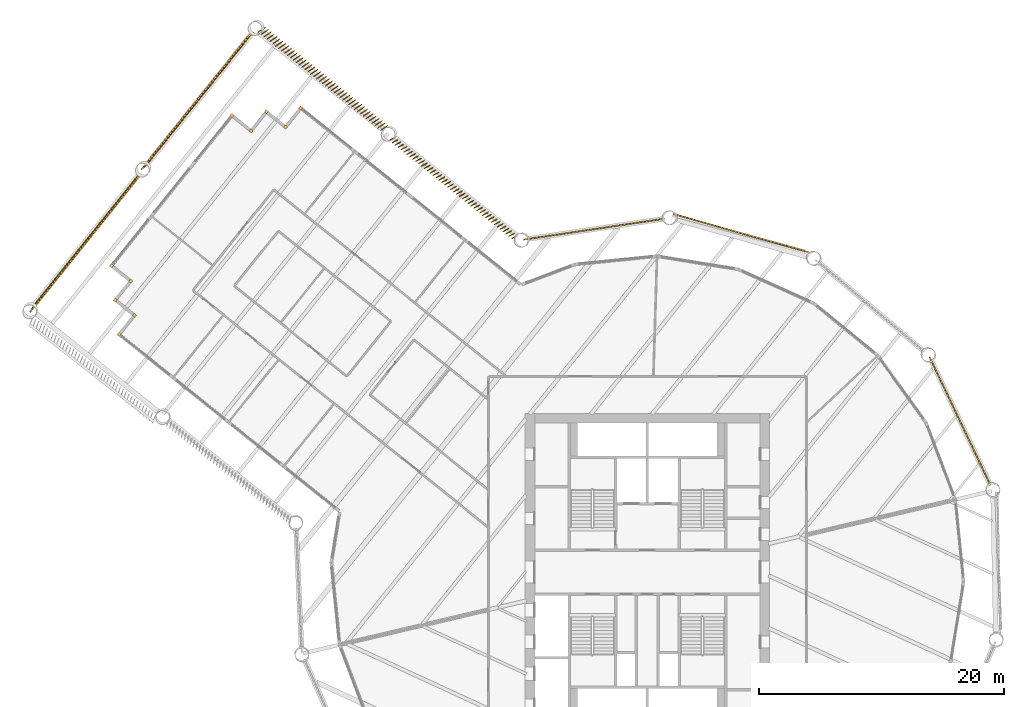
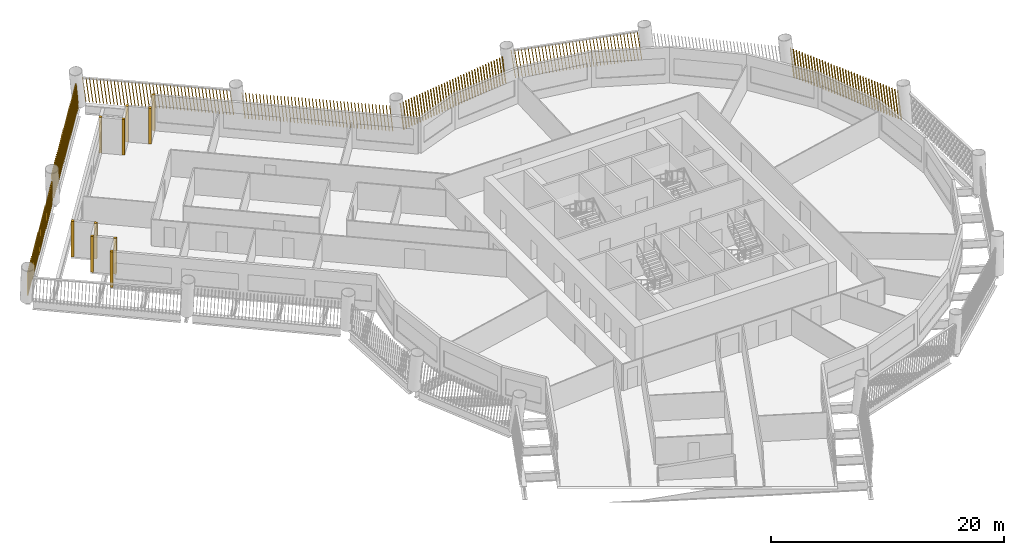
# One storey, part 14 of 16: 17 shading devices.
"""IFC4 building model written with IfcOpenShell, lengths in metres."""

from ifc_helpers import new_model, si_unit, direction, frame, frame_2d, origin, origin_2d, place, context, subcontext, project, spatial, rectangle, composite_profile, extrude, material, type_object, element, save


model = new_model("IFC4")

# Units and contexts
model_context = context("Model", 3, precision=1e-05, world=origin(), true_north=direction((0.0, 1.0)))
body_context = subcontext(model_context, "Body", "Model", "MODEL_VIEW")
ifc_project = project(units=[si_unit("LENGTHUNIT", "METRE"), si_unit("AREAUNIT", "SQUARE_METRE"), si_unit("VOLUMEUNIT", "CUBIC_METRE"), si_unit("PLANEANGLEUNIT", "RADIAN"), si_unit("MASSUNIT", "GRAM", prefix="KILO")], contexts=[model_context])

# Site, building, storey
site_placement = place(None, origin())
site = spatial("IfcSite", under=ifc_project, at=site_placement, CompositionType="ELEMENT")
building_placement = place(site_placement, origin())
building = spatial("IfcBuilding", under=site, at=building_placement, Name="Tarsis Ring Headquarters", CompositionType="ELEMENT")
storey_placement = place(building_placement, frame((0.0, 0.0, 112.300048828125)))
storey = spatial("IfcBuildingStorey", under=building, at=storey_placement, Name="L25", CompositionType="ELEMENT", Elevation=112.300048828125)

# Shading devices
ifc_material = material(Name="Terracotta baguette", Category="masonry")
shading_device_type_1 = type_object("IfcShadingDeviceType", Name="Terracotta baguette screen", PredefinedType="USERDEFINED", material=ifc_material)
shading_device_1_placement = place(storey_placement, frame((28.059326171875, 7.114501953125, 0.0), z_axis=(0.0, 0.0, 1.0), x_axis=(-0.429430276723, 0.903092783505, 0.0)))
element("IfcShadingDevice", 1, at=shading_device_1_placement, inside=storey, type_object=shading_device_type_1, Name="Baguette screen L25-11", ObjectType="Terracotta baguette screen", PredefinedType="USERDEFINED", context=body_context, shape_type="SweptSolid", body=[
    extrude(composite_profile([rectangle(XDim=0.06005859375, YDim=0.1201171875, at=frame_2d((0.030029296875, 0.0))), rectangle(XDim=0.06005859375, YDim=0.1201171875, at=frame_2d((0.33251953125, 0.0))), rectangle(XDim=0.06005859375, YDim=0.1201171875, at=frame_2d((0.634765625, 0.0))), rectangle(XDim=0.06005859375, YDim=0.1201171875, at=frame_2d((0.937255859375, 0.0))), rectangle(XDim=0.06005859375, YDim=0.1201171875, at=frame_2d((1.239501953125, 0.0))), rectangle(XDim=0.06005859375, YDim=0.1201171875, at=frame_2d((1.5419921875, 0.0))), rectangle(XDim=0.06005859375, YDim=0.1201171875, at=frame_2d((1.844482421875, 0.0))), rectangle(XDim=0.06005859375, YDim=0.1201171875, at=frame_2d((2.146728515625, 0.0))), rectangle(XDim=0.06005859375, YDim=0.1201171875, at=frame_2d((2.44921875, 0.0))), rectangle(XDim=0.06005859375, YDim=0.1201171875, at=frame_2d((2.751708984375, 0.0))), rectangle(XDim=0.06005859375, YDim=0.1201171875, at=frame_2d((3.053955078125, 0.0))), rectangle(XDim=0.06005859375, YDim=0.1201171875, at=frame_2d((3.3564453125, 0.0))), rectangle(XDim=0.06005859375, YDim=0.1201171875, at=frame_2d((3.65869140625, 0.0))), rectangle(XDim=0.06005859375, YDim=0.1201171875, at=frame_2d((3.961181640625, 0.0))), rectangle(XDim=0.06005859375, YDim=0.1201171875, at=frame_2d((4.263671875, 0.0))), rectangle(XDim=0.06005859375, YDim=0.1201171875, at=frame_2d((4.56591796875, 0.0))), rectangle(XDim=0.06005859375, YDim=0.1201171875, at=frame_2d((4.868408203125, 0.0))), rectangle(XDim=0.06005859375, YDim=0.1201171875, at=frame_2d((5.1708984375, 0.0))), rectangle(XDim=0.06005859375, YDim=0.1201171875, at=frame_2d((5.47314453125, 0.0))), rectangle(XDim=0.06005859375, YDim=0.1201171875, at=frame_2d((5.775634765625, 0.0))), rectangle(XDim=0.06005859375, YDim=0.1201171875, at=frame_2d((6.077880859375, 0.0))), rectangle(XDim=0.06005859375, YDim=0.1201171875, at=frame_2d((6.38037109375, 0.0))), rectangle(XDim=0.06005859375, YDim=0.1201171875, at=frame_2d((6.682861328125, 0.0))), rectangle(XDim=0.06005859375, YDim=0.1201171875, at=frame_2d((6.985107421875, 0.0))), rectangle(XDim=0.06005859375, YDim=0.1201171875, at=frame_2d((7.28759765625, 0.0))), rectangle(XDim=0.06005859375, YDim=0.1201171875, at=frame_2d((7.590087890625, 0.0))), rectangle(XDim=0.06005859375, YDim=0.1201171875, at=frame_2d((7.892333984375, 0.0))), rectangle(XDim=0.06005859375, YDim=0.1201171875, at=frame_2d((8.19482421875, 0.0))), rectangle(XDim=0.06005859375, YDim=0.1201171875, at=frame_2d((8.4970703125, 0.0))), rectangle(XDim=0.06005859375, YDim=0.1201171875, at=frame_2d((8.799560546875, 0.0))), rectangle(XDim=0.06005859375, YDim=0.1201171875, at=frame_2d((9.10205078125, 0.0))), rectangle(XDim=0.06005859375, YDim=0.1201171875, at=frame_2d((9.404296875, 0.0))), rectangle(XDim=0.06005859375, YDim=0.1201171875, at=frame_2d((9.706787109375, 0.0))), rectangle(XDim=0.06005859375, YDim=0.1201171875, at=frame_2d((10.00927734375, 0.0))), rectangle(XDim=0.06005859375, YDim=0.1201171875, at=frame_2d((10.3115234375, 0.0))), rectangle(XDim=0.06005859375, YDim=0.1201171875, at=frame_2d((10.614013671875, 0.0))), rectangle(XDim=0.06005859375, YDim=0.1201171875, at=frame_2d((10.916259765625, 0.0))), rectangle(XDim=0.06005859375, YDim=0.1201171875, at=frame_2d((11.21875, 0.0)))]), origin(), (0.12980945886, 0.000882815029, 0.991538564569), 2.977783203125),
])
shading_device_2_placement = place(storey_placement, frame((13.28369140625, 26.1328125, 0.0), z_axis=(0.0, 0.0, 1.0), x_axis=(-0.961823114487, 0.273684210526, 0.0)))
element("IfcShadingDevice", 2, at=shading_device_2_placement, inside=storey, type_object=shading_device_type_1, Name="Baguette screen L25-13", ObjectType="Terracotta baguette screen", PredefinedType="USERDEFINED", context=body_context, shape_type="SweptSolid", body=[
    extrude(composite_profile([rectangle(XDim=0.06005859375, YDim=0.1201171875, at=frame_2d((0.030029296875, 0.0))), rectangle(XDim=0.06005859375, YDim=0.1201171875, at=frame_2d((0.33251953125, 0.0))), rectangle(XDim=0.06005859375, YDim=0.1201171875, at=frame_2d((0.634765625, 0.0))), rectangle(XDim=0.06005859375, YDim=0.1201171875, at=frame_2d((0.937255859375, 0.0))), rectangle(XDim=0.06005859375, YDim=0.1201171875, at=frame_2d((1.239501953125, 0.0))), rectangle(XDim=0.06005859375, YDim=0.1201171875, at=frame_2d((1.5419921875, 0.0))), rectangle(XDim=0.06005859375, YDim=0.1201171875, at=frame_2d((1.844482421875, 0.0))), rectangle(XDim=0.06005859375, YDim=0.1201171875, at=frame_2d((2.146728515625, 0.0))), rectangle(XDim=0.06005859375, YDim=0.1201171875, at=frame_2d((2.44921875, 0.0))), rectangle(XDim=0.06005859375, YDim=0.1201171875, at=frame_2d((2.751708984375, 0.0))), rectangle(XDim=0.06005859375, YDim=0.1201171875, at=frame_2d((3.053955078125, 0.0))), rectangle(XDim=0.06005859375, YDim=0.1201171875, at=frame_2d((3.3564453125, 0.0))), rectangle(XDim=0.06005859375, YDim=0.1201171875, at=frame_2d((3.65869140625, 0.0))), rectangle(XDim=0.06005859375, YDim=0.1201171875, at=frame_2d((3.961181640625, 0.0))), rectangle(XDim=0.06005859375, YDim=0.1201171875, at=frame_2d((4.263671875, 0.0))), rectangle(XDim=0.06005859375, YDim=0.1201171875, at=frame_2d((4.56591796875, 0.0))), rectangle(XDim=0.06005859375, YDim=0.1201171875, at=frame_2d((4.868408203125, 0.0))), rectangle(XDim=0.06005859375, YDim=0.1201171875, at=frame_2d((5.1708984375, 0.0))), rectangle(XDim=0.06005859375, YDim=0.1201171875, at=frame_2d((5.47314453125, 0.0))), rectangle(XDim=0.06005859375, YDim=0.1201171875, at=frame_2d((5.775634765625, 0.0))), rectangle(XDim=0.06005859375, YDim=0.1201171875, at=frame_2d((6.077880859375, 0.0))), rectangle(XDim=0.06005859375, YDim=0.1201171875, at=frame_2d((6.38037109375, 0.0))), rectangle(XDim=0.06005859375, YDim=0.1201171875, at=frame_2d((6.682861328125, 0.0))), rectangle(XDim=0.06005859375, YDim=0.1201171875, at=frame_2d((6.985107421875, 0.0))), rectangle(XDim=0.06005859375, YDim=0.1201171875, at=frame_2d((7.28759765625, 0.0))), rectangle(XDim=0.06005859375, YDim=0.1201171875, at=frame_2d((7.590087890625, 0.0))), rectangle(XDim=0.06005859375, YDim=0.1201171875, at=frame_2d((7.892333984375, 0.0))), rectangle(XDim=0.06005859375, YDim=0.1201171875, at=frame_2d((8.19482421875, 0.0))), rectangle(XDim=0.06005859375, YDim=0.1201171875, at=frame_2d((8.4970703125, 0.0))), rectangle(XDim=0.06005859375, YDim=0.1201171875, at=frame_2d((8.799560546875, 0.0))), rectangle(XDim=0.06005859375, YDim=0.1201171875, at=frame_2d((9.10205078125, 0.0))), rectangle(XDim=0.06005859375, YDim=0.1201171875, at=frame_2d((9.404296875, 0.0))), rectangle(XDim=0.06005859375, YDim=0.1201171875, at=frame_2d((9.706787109375, 0.0))), rectangle(XDim=0.06005859375, YDim=0.1201171875, at=frame_2d((10.00927734375, 0.0))), rectangle(XDim=0.06005859375, YDim=0.1201171875, at=frame_2d((10.3115234375, 0.0))), rectangle(XDim=0.06005859375, YDim=0.1201171875, at=frame_2d((10.614013671875, 0.0))), rectangle(XDim=0.06005859375, YDim=0.1201171875, at=frame_2d((10.916259765625, 0.0))), rectangle(XDim=0.06005859375, YDim=0.1201171875, at=frame_2d((11.21875, 0.0)))]), origin(), (0.131495283973, 0.000894350528, 0.991316392697), 2.978515625),
])
shading_device_3_placement = place(storey_placement, frame((1.38623046875, 28.9140625, 0.0), z_axis=(0.0, 0.0, 1.0), x_axis=(-0.989126424308, -0.147107976126, 0.0)))
element("IfcShadingDevice", 3, at=shading_device_3_placement, inside=storey, type_object=shading_device_type_1, Name="Baguette screen L25-14", ObjectType="Terracotta baguette screen", PredefinedType="USERDEFINED", context=body_context, shape_type="SweptSolid", body=[
    extrude(composite_profile([rectangle(XDim=0.06005859375, YDim=0.1201171875, at=frame_2d((0.030029296875, 0.0))), rectangle(XDim=0.06005859375, YDim=0.1201171875, at=frame_2d((0.33251953125, 0.0))), rectangle(XDim=0.06005859375, YDim=0.1201171875, at=frame_2d((0.634765625, 0.0))), rectangle(XDim=0.06005859375, YDim=0.1201171875, at=frame_2d((0.937255859375, 0.0))), rectangle(XDim=0.06005859375, YDim=0.1201171875, at=frame_2d((1.239501953125, 0.0))), rectangle(XDim=0.06005859375, YDim=0.1201171875, at=frame_2d((1.5419921875, 0.0))), rectangle(XDim=0.06005859375, YDim=0.1201171875, at=frame_2d((1.844482421875, 0.0))), rectangle(XDim=0.06005859375, YDim=0.1201171875, at=frame_2d((2.146728515625, 0.0))), rectangle(XDim=0.06005859375, YDim=0.1201171875, at=frame_2d((2.44921875, 0.0))), rectangle(XDim=0.06005859375, YDim=0.1201171875, at=frame_2d((2.751708984375, 0.0))), rectangle(XDim=0.06005859375, YDim=0.1201171875, at=frame_2d((3.053955078125, 0.0))), rectangle(XDim=0.06005859375, YDim=0.1201171875, at=frame_2d((3.3564453125, 0.0))), rectangle(XDim=0.06005859375, YDim=0.1201171875, at=frame_2d((3.65869140625, 0.0))), rectangle(XDim=0.06005859375, YDim=0.1201171875, at=frame_2d((3.961181640625, 0.0))), rectangle(XDim=0.06005859375, YDim=0.1201171875, at=frame_2d((4.263671875, 0.0))), rectangle(XDim=0.06005859375, YDim=0.1201171875, at=frame_2d((4.56591796875, 0.0))), rectangle(XDim=0.06005859375, YDim=0.1201171875, at=frame_2d((4.868408203125, 0.0))), rectangle(XDim=0.06005859375, YDim=0.1201171875, at=frame_2d((5.1708984375, 0.0))), rectangle(XDim=0.06005859375, YDim=0.1201171875, at=frame_2d((5.47314453125, 0.0))), rectangle(XDim=0.06005859375, YDim=0.1201171875, at=frame_2d((5.775634765625, 0.0))), rectangle(XDim=0.06005859375, YDim=0.1201171875, at=frame_2d((6.077880859375, 0.0))), rectangle(XDim=0.06005859375, YDim=0.1201171875, at=frame_2d((6.38037109375, 0.0))), rectangle(XDim=0.06005859375, YDim=0.1201171875, at=frame_2d((6.682861328125, 0.0))), rectangle(XDim=0.06005859375, YDim=0.1201171875, at=frame_2d((6.985107421875, 0.0))), rectangle(XDim=0.06005859375, YDim=0.1201171875, at=frame_2d((7.28759765625, 0.0))), rectangle(XDim=0.06005859375, YDim=0.1201171875, at=frame_2d((7.590087890625, 0.0))), rectangle(XDim=0.06005859375, YDim=0.1201171875, at=frame_2d((7.892333984375, 0.0))), rectangle(XDim=0.06005859375, YDim=0.1201171875, at=frame_2d((8.19482421875, 0.0))), rectangle(XDim=0.06005859375, YDim=0.1201171875, at=frame_2d((8.4970703125, 0.0))), rectangle(XDim=0.06005859375, YDim=0.1201171875, at=frame_2d((8.799560546875, 0.0))), rectangle(XDim=0.06005859375, YDim=0.1201171875, at=frame_2d((9.10205078125, 0.0))), rectangle(XDim=0.06005859375, YDim=0.1201171875, at=frame_2d((9.404296875, 0.0))), rectangle(XDim=0.06005859375, YDim=0.1201171875, at=frame_2d((9.706787109375, 0.0))), rectangle(XDim=0.06005859375, YDim=0.1201171875, at=frame_2d((10.00927734375, 0.0))), rectangle(XDim=0.06005859375, YDim=0.1201171875, at=frame_2d((10.3115234375, 0.0))), rectangle(XDim=0.06005859375, YDim=0.1201171875, at=frame_2d((10.614013671875, 0.0))), rectangle(XDim=0.06005859375, YDim=0.1201171875, at=frame_2d((10.916259765625, 0.0))), rectangle(XDim=0.06005859375, YDim=0.1201171875, at=frame_2d((11.21875, 0.0)))]), origin(), (0.12981086182, 0.000882156254, 0.991538381483), 2.977783203125),
])
shading_device_4_placement = place(storey_placement, frame((-10.624755859375, 27.498779296875, 0.0), z_axis=(0.0, 0.0, 1.0), x_axis=(-0.779991674236, 0.62577580987, 0.0)))
element("IfcShadingDevice", 4, at=shading_device_4_placement, inside=storey, type_object=shading_device_type_1, Name="Baguette screen L25-15", ObjectType="Terracotta baguette screen", PredefinedType="USERDEFINED", context=body_context, shape_type="SweptSolid", body=[
    extrude(composite_profile([rectangle(XDim=0.06005859375, YDim=0.1201171875, at=frame_2d((0.030029296875, 0.0))), rectangle(XDim=0.06005859375, YDim=0.1201171875, at=frame_2d((0.335693359375, 0.0))), rectangle(XDim=0.06005859375, YDim=0.1201171875, at=frame_2d((0.6416015625, 0.0))), rectangle(XDim=0.06005859375, YDim=0.1201171875, at=frame_2d((0.947265625, 0.0))), rectangle(XDim=0.06005859375, YDim=0.1201171875, at=frame_2d((1.253173828125, 0.0))), rectangle(XDim=0.06005859375, YDim=0.1201171875, at=frame_2d((1.558837890625, 0.0))), rectangle(XDim=0.06005859375, YDim=0.1201171875, at=frame_2d((1.864501953125, 0.0))), rectangle(XDim=0.06005859375, YDim=0.1201171875, at=frame_2d((2.17041015625, 0.0))), rectangle(XDim=0.06005859375, YDim=0.1201171875, at=frame_2d((2.47607421875, 0.0))), rectangle(XDim=0.06005859375, YDim=0.1201171875, at=frame_2d((2.781982421875, 0.0))), rectangle(XDim=0.06005859375, YDim=0.1201171875, at=frame_2d((3.087646484375, 0.0))), rectangle(XDim=0.06005859375, YDim=0.1201171875, at=frame_2d((3.393310546875, 0.0))), rectangle(XDim=0.06005859375, YDim=0.1201171875, at=frame_2d((3.69921875, 0.0))), rectangle(XDim=0.06005859375, YDim=0.1201171875, at=frame_2d((4.0048828125, 0.0))), rectangle(XDim=0.06005859375, YDim=0.1201171875, at=frame_2d((4.310791015625, 0.0))), rectangle(XDim=0.06005859375, YDim=0.1201171875, at=frame_2d((4.616455078125, 0.0))), rectangle(XDim=0.06005859375, YDim=0.1201171875, at=frame_2d((4.922119140625, 0.0))), rectangle(XDim=0.06005859375, YDim=0.1201171875, at=frame_2d((5.22802734375, 0.0))), rectangle(XDim=0.06005859375, YDim=0.1201171875, at=frame_2d((5.53369140625, 0.0))), rectangle(XDim=0.06005859375, YDim=0.1201171875, at=frame_2d((5.839599609375, 0.0))), rectangle(XDim=0.06005859375, YDim=0.1201171875, at=frame_2d((6.145263671875, 0.0))), rectangle(XDim=0.06005859375, YDim=0.1201171875, at=frame_2d((6.451171875, 0.0))), rectangle(XDim=0.06005859375, YDim=0.1201171875, at=frame_2d((6.7568359375, 0.0))), rectangle(XDim=0.06005859375, YDim=0.1201171875, at=frame_2d((7.0625, 0.0))), rectangle(XDim=0.06005859375, YDim=0.1201171875, at=frame_2d((7.368408203125, 0.0))), rectangle(XDim=0.06005859375, YDim=0.1201171875, at=frame_2d((7.674072265625, 0.0))), rectangle(XDim=0.06005859375, YDim=0.1201171875, at=frame_2d((7.97998046875, 0.0))), rectangle(XDim=0.06005859375, YDim=0.1201171875, at=frame_2d((8.28564453125, 0.0))), rectangle(XDim=0.06005859375, YDim=0.1201171875, at=frame_2d((8.59130859375, 0.0))), rectangle(XDim=0.06005859375, YDim=0.1201171875, at=frame_2d((8.897216796875, 0.0))), rectangle(XDim=0.06005859375, YDim=0.1201171875, at=frame_2d((9.202880859375, 0.0))), rectangle(XDim=0.06005859375, YDim=0.1201171875, at=frame_2d((9.5087890625, 0.0))), rectangle(XDim=0.06005859375, YDim=0.1201171875, at=frame_2d((9.814453125, 0.0))), rectangle(XDim=0.06005859375, YDim=0.1201171875, at=frame_2d((10.1201171875, 0.0))), rectangle(XDim=0.06005859375, YDim=0.1201171875, at=frame_2d((10.426025390625, 0.0))), rectangle(XDim=0.06005859375, YDim=0.1201171875, at=frame_2d((10.731689453125, 0.0))), rectangle(XDim=0.06005859375, YDim=0.1201171875, at=frame_2d((11.03759765625, 0.0))), rectangle(XDim=0.06005859375, YDim=0.1201171875, at=frame_2d((11.34326171875, 0.0))), rectangle(XDim=0.06005859375, YDim=0.1201171875, at=frame_2d((11.64892578125, 0.0))), rectangle(XDim=0.06005859375, YDim=0.1201171875, at=frame_2d((11.954833984375, 0.0))), rectangle(XDim=0.06005859375, YDim=0.1201171875, at=frame_2d((12.260498046875, 0.0))), rectangle(XDim=0.06005859375, YDim=0.1201171875, at=frame_2d((12.56640625, 0.0))), rectangle(XDim=0.06005859375, YDim=0.1201171875, at=frame_2d((12.8720703125, 0.0)))]), origin(), (0.066364817958, 0.145843876952, 0.987079163235), 2.9912109375),
])
shading_device_5_placement = place(storey_placement, frame((-21.233642578125, 36.490966796875, 0.0), z_axis=(0.0, 0.0, 1.0), x_axis=(-0.779991674236, 0.625794732062, 0.0)))
element("IfcShadingDevice", 5, at=shading_device_5_placement, inside=storey, type_object=shading_device_type_1, Name="Baguette screen L25-16", ObjectType="Terracotta baguette screen", PredefinedType="USERDEFINED", context=body_context, shape_type="SweptSolid", body=[
    extrude(composite_profile([rectangle(XDim=0.06005859375, YDim=0.1201171875, at=frame_2d((0.030029296875, 0.0))), rectangle(XDim=0.06005859375, YDim=0.1201171875, at=frame_2d((0.335693359375, 0.0))), rectangle(XDim=0.06005859375, YDim=0.1201171875, at=frame_2d((0.6416015625, 0.0))), rectangle(XDim=0.06005859375, YDim=0.1201171875, at=frame_2d((0.947265625, 0.0))), rectangle(XDim=0.06005859375, YDim=0.1201171875, at=frame_2d((1.253173828125, 0.0))), rectangle(XDim=0.06005859375, YDim=0.1201171875, at=frame_2d((1.558837890625, 0.0))), rectangle(XDim=0.06005859375, YDim=0.1201171875, at=frame_2d((1.864501953125, 0.0))), rectangle(XDim=0.06005859375, YDim=0.1201171875, at=frame_2d((2.17041015625, 0.0))), rectangle(XDim=0.06005859375, YDim=0.1201171875, at=frame_2d((2.47607421875, 0.0))), rectangle(XDim=0.06005859375, YDim=0.1201171875, at=frame_2d((2.781982421875, 0.0))), rectangle(XDim=0.06005859375, YDim=0.1201171875, at=frame_2d((3.087646484375, 0.0))), rectangle(XDim=0.06005859375, YDim=0.1201171875, at=frame_2d((3.393310546875, 0.0))), rectangle(XDim=0.06005859375, YDim=0.1201171875, at=frame_2d((3.69921875, 0.0))), rectangle(XDim=0.06005859375, YDim=0.1201171875, at=frame_2d((4.0048828125, 0.0))), rectangle(XDim=0.06005859375, YDim=0.1201171875, at=frame_2d((4.310791015625, 0.0))), rectangle(XDim=0.06005859375, YDim=0.1201171875, at=frame_2d((4.616455078125, 0.0))), rectangle(XDim=0.06005859375, YDim=0.1201171875, at=frame_2d((4.922119140625, 0.0))), rectangle(XDim=0.06005859375, YDim=0.1201171875, at=frame_2d((5.22802734375, 0.0))), rectangle(XDim=0.06005859375, YDim=0.1201171875, at=frame_2d((5.53369140625, 0.0))), rectangle(XDim=0.06005859375, YDim=0.1201171875, at=frame_2d((5.839599609375, 0.0))), rectangle(XDim=0.06005859375, YDim=0.1201171875, at=frame_2d((6.145263671875, 0.0))), rectangle(XDim=0.06005859375, YDim=0.1201171875, at=frame_2d((6.451171875, 0.0))), rectangle(XDim=0.06005859375, YDim=0.1201171875, at=frame_2d((6.7568359375, 0.0))), rectangle(XDim=0.06005859375, YDim=0.1201171875, at=frame_2d((7.0625, 0.0))), rectangle(XDim=0.06005859375, YDim=0.1201171875, at=frame_2d((7.368408203125, 0.0))), rectangle(XDim=0.06005859375, YDim=0.1201171875, at=frame_2d((7.674072265625, 0.0))), rectangle(XDim=0.06005859375, YDim=0.1201171875, at=frame_2d((7.97998046875, 0.0))), rectangle(XDim=0.06005859375, YDim=0.1201171875, at=frame_2d((8.28564453125, 0.0))), rectangle(XDim=0.06005859375, YDim=0.1201171875, at=frame_2d((8.59130859375, 0.0))), rectangle(XDim=0.06005859375, YDim=0.1201171875, at=frame_2d((8.897216796875, 0.0))), rectangle(XDim=0.06005859375, YDim=0.1201171875, at=frame_2d((9.202880859375, 0.0))), rectangle(XDim=0.06005859375, YDim=0.1201171875, at=frame_2d((9.5087890625, 0.0))), rectangle(XDim=0.06005859375, YDim=0.1201171875, at=frame_2d((9.814453125, 0.0))), rectangle(XDim=0.06005859375, YDim=0.1201171875, at=frame_2d((10.1201171875, 0.0))), rectangle(XDim=0.06005859375, YDim=0.1201171875, at=frame_2d((10.426025390625, 0.0))), rectangle(XDim=0.06005859375, YDim=0.1201171875, at=frame_2d((10.731689453125, 0.0))), rectangle(XDim=0.06005859375, YDim=0.1201171875, at=frame_2d((11.03759765625, 0.0))), rectangle(XDim=0.06005859375, YDim=0.1201171875, at=frame_2d((11.34326171875, 0.0))), rectangle(XDim=0.06005859375, YDim=0.1201171875, at=frame_2d((11.64892578125, 0.0))), rectangle(XDim=0.06005859375, YDim=0.1201171875, at=frame_2d((11.954833984375, 0.0))), rectangle(XDim=0.06005859375, YDim=0.1201171875, at=frame_2d((12.260498046875, 0.0))), rectangle(XDim=0.06005859375, YDim=0.1201171875, at=frame_2d((12.56640625, 0.0))), rectangle(XDim=0.06005859375, YDim=0.1201171875, at=frame_2d((12.8720703125, 0.0)))]), origin(), (0.066885963799, 0.206799097658, 0.976094463182), 3.02490234375),
])
shading_device_6_placement = place(storey_placement, frame((-32.23486328125, 44.195556640625, 0.0), z_axis=(0.0, 0.0, 1.0), x_axis=(-0.625793896506, -0.779991154356, 0.0)))
element("IfcShadingDevice", 6, at=shading_device_6_placement, inside=storey, type_object=shading_device_type_1, Name="Baguette screen L25-17", ObjectType="Terracotta baguette screen", PredefinedType="USERDEFINED", context=body_context, shape_type="SweptSolid", body=[
    extrude(composite_profile([rectangle(XDim=0.06005859375, YDim=0.1201171875, at=frame_2d((0.030029296875, 0.0))), rectangle(XDim=0.06005859375, YDim=0.1201171875, at=frame_2d((0.33544921875, 0.0))), rectangle(XDim=0.06005859375, YDim=0.1201171875, at=frame_2d((0.640625, 0.0))), rectangle(XDim=0.06005859375, YDim=0.1201171875, at=frame_2d((0.946044921875, 0.0))), rectangle(XDim=0.06005859375, YDim=0.1201171875, at=frame_2d((1.25146484375, 0.0))), rectangle(XDim=0.06005859375, YDim=0.1201171875, at=frame_2d((1.556640625, 0.0))), rectangle(XDim=0.06005859375, YDim=0.1201171875, at=frame_2d((1.862060546875, 0.0))), rectangle(XDim=0.06005859375, YDim=0.1201171875, at=frame_2d((2.16748046875, 0.0))), rectangle(XDim=0.06005859375, YDim=0.1201171875, at=frame_2d((2.47265625, 0.0))), rectangle(XDim=0.06005859375, YDim=0.1201171875, at=frame_2d((2.778076171875, 0.0))), rectangle(XDim=0.06005859375, YDim=0.1201171875, at=frame_2d((3.08349609375, 0.0))), rectangle(XDim=0.06005859375, YDim=0.1201171875, at=frame_2d((3.388671875, 0.0))), rectangle(XDim=0.06005859375, YDim=0.1201171875, at=frame_2d((3.694091796875, 0.0))), rectangle(XDim=0.06005859375, YDim=0.1201171875, at=frame_2d((3.99951171875, 0.0))), rectangle(XDim=0.06005859375, YDim=0.1201171875, at=frame_2d((4.3046875, 0.0))), rectangle(XDim=0.06005859375, YDim=0.1201171875, at=frame_2d((4.610107421875, 0.0))), rectangle(XDim=0.06005859375, YDim=0.1201171875, at=frame_2d((4.91552734375, 0.0))), rectangle(XDim=0.06005859375, YDim=0.1201171875, at=frame_2d((5.220703125, 0.0))), rectangle(XDim=0.06005859375, YDim=0.1201171875, at=frame_2d((5.526123046875, 0.0))), rectangle(XDim=0.06005859375, YDim=0.1201171875, at=frame_2d((5.83154296875, 0.0))), rectangle(XDim=0.06005859375, YDim=0.1201171875, at=frame_2d((6.13671875, 0.0))), rectangle(XDim=0.06005859375, YDim=0.1201171875, at=frame_2d((6.442138671875, 0.0))), rectangle(XDim=0.06005859375, YDim=0.1201171875, at=frame_2d((6.74755859375, 0.0))), rectangle(XDim=0.06005859375, YDim=0.1201171875, at=frame_2d((7.052734375, 0.0))), rectangle(XDim=0.06005859375, YDim=0.1201171875, at=frame_2d((7.358154296875, 0.0))), rectangle(XDim=0.06005859375, YDim=0.1201171875, at=frame_2d((7.66357421875, 0.0))), rectangle(XDim=0.06005859375, YDim=0.1201171875, at=frame_2d((7.96875, 0.0))), rectangle(XDim=0.06005859375, YDim=0.1201171875, at=frame_2d((8.274169921875, 0.0))), rectangle(XDim=0.06005859375, YDim=0.1201171875, at=frame_2d((8.57958984375, 0.0))), rectangle(XDim=0.06005859375, YDim=0.1201171875, at=frame_2d((8.884765625, 0.0))), rectangle(XDim=0.06005859375, YDim=0.1201171875, at=frame_2d((9.190185546875, 0.0))), rectangle(XDim=0.06005859375, YDim=0.1201171875, at=frame_2d((9.49560546875, 0.0))), rectangle(XDim=0.06005859375, YDim=0.1201171875, at=frame_2d((9.80078125, 0.0))), rectangle(XDim=0.06005859375, YDim=0.1201171875, at=frame_2d((10.106201171875, 0.0))), rectangle(XDim=0.06005859375, YDim=0.1201171875, at=frame_2d((10.41162109375, 0.0))), rectangle(XDim=0.06005859375, YDim=0.1201171875, at=frame_2d((10.716796875, 0.0))), rectangle(XDim=0.06005859375, YDim=0.1201171875, at=frame_2d((11.022216796875, 0.0))), rectangle(XDim=0.06005859375, YDim=0.1201171875, at=frame_2d((11.32763671875, 0.0))), rectangle(XDim=0.06005859375, YDim=0.1201171875, at=frame_2d((11.6328125, 0.0))), rectangle(XDim=0.06005859375, YDim=0.1201171875, at=frame_2d((11.938232421875, 0.0))), rectangle(XDim=0.06005859375, YDim=0.1201171875, at=frame_2d((12.24365234375, 0.0))), rectangle(XDim=0.06005859375, YDim=0.1201171875, at=frame_2d((12.548828125, 0.0))), rectangle(XDim=0.06005859375, YDim=0.1201171875, at=frame_2d((12.854248046875, 0.0))), rectangle(XDim=0.06005859375, YDim=0.1201171875, at=frame_2d((13.15966796875, 0.0))), rectangle(XDim=0.06005859375, YDim=0.1201171875, at=frame_2d((13.46484375, 0.0))), rectangle(XDim=0.06005859375, YDim=0.1201171875, at=frame_2d((13.770263671875, 0.0)))]), origin(), (0.236623005271, -0.031520879694, 0.971090102678), 3.04052734375),
])
shading_device_7_placement = place(storey_placement, frame((-41.49658203125, 32.651611328125, 0.0), z_axis=(0.0, 0.0, 1.0), x_axis=(-0.625787276201, -0.780004953648, 0.0)))
element("IfcShadingDevice", 7, at=shading_device_7_placement, inside=storey, type_object=shading_device_type_1, Name="Baguette screen L25-18", ObjectType="Terracotta baguette screen", PredefinedType="USERDEFINED", context=body_context, shape_type="SweptSolid", body=[
    extrude(composite_profile([rectangle(XDim=0.06005859375, YDim=0.1201171875, at=frame_2d((0.030029296875, 0.0))), rectangle(XDim=0.06005859375, YDim=0.1201171875, at=frame_2d((0.33544921875, 0.0))), rectangle(XDim=0.06005859375, YDim=0.1201171875, at=frame_2d((0.640625, 0.0))), rectangle(XDim=0.06005859375, YDim=0.1201171875, at=frame_2d((0.946044921875, 0.0))), rectangle(XDim=0.06005859375, YDim=0.1201171875, at=frame_2d((1.25146484375, 0.0))), rectangle(XDim=0.06005859375, YDim=0.1201171875, at=frame_2d((1.556640625, 0.0))), rectangle(XDim=0.06005859375, YDim=0.1201171875, at=frame_2d((1.862060546875, 0.0))), rectangle(XDim=0.06005859375, YDim=0.1201171875, at=frame_2d((2.16748046875, 0.0))), rectangle(XDim=0.06005859375, YDim=0.1201171875, at=frame_2d((2.47265625, 0.0))), rectangle(XDim=0.06005859375, YDim=0.1201171875, at=frame_2d((2.778076171875, 0.0))), rectangle(XDim=0.06005859375, YDim=0.1201171875, at=frame_2d((3.08349609375, 0.0))), rectangle(XDim=0.06005859375, YDim=0.1201171875, at=frame_2d((3.388671875, 0.0))), rectangle(XDim=0.06005859375, YDim=0.1201171875, at=frame_2d((3.694091796875, 0.0))), rectangle(XDim=0.06005859375, YDim=0.1201171875, at=frame_2d((3.99951171875, 0.0))), rectangle(XDim=0.06005859375, YDim=0.1201171875, at=frame_2d((4.3046875, 0.0))), rectangle(XDim=0.06005859375, YDim=0.1201171875, at=frame_2d((4.610107421875, 0.0))), rectangle(XDim=0.06005859375, YDim=0.1201171875, at=frame_2d((4.91552734375, 0.0))), rectangle(XDim=0.06005859375, YDim=0.1201171875, at=frame_2d((5.220703125, 0.0))), rectangle(XDim=0.06005859375, YDim=0.1201171875, at=frame_2d((5.526123046875, 0.0))), rectangle(XDim=0.06005859375, YDim=0.1201171875, at=frame_2d((5.83154296875, 0.0))), rectangle(XDim=0.06005859375, YDim=0.1201171875, at=frame_2d((6.13671875, 0.0))), rectangle(XDim=0.06005859375, YDim=0.1201171875, at=frame_2d((6.442138671875, 0.0))), rectangle(XDim=0.06005859375, YDim=0.1201171875, at=frame_2d((6.74755859375, 0.0))), rectangle(XDim=0.06005859375, YDim=0.1201171875, at=frame_2d((7.052734375, 0.0))), rectangle(XDim=0.06005859375, YDim=0.1201171875, at=frame_2d((7.358154296875, 0.0))), rectangle(XDim=0.06005859375, YDim=0.1201171875, at=frame_2d((7.66357421875, 0.0))), rectangle(XDim=0.06005859375, YDim=0.1201171875, at=frame_2d((7.96875, 0.0))), rectangle(XDim=0.06005859375, YDim=0.1201171875, at=frame_2d((8.274169921875, 0.0))), rectangle(XDim=0.06005859375, YDim=0.1201171875, at=frame_2d((8.57958984375, 0.0))), rectangle(XDim=0.06005859375, YDim=0.1201171875, at=frame_2d((8.884765625, 0.0))), rectangle(XDim=0.06005859375, YDim=0.1201171875, at=frame_2d((9.190185546875, 0.0))), rectangle(XDim=0.06005859375, YDim=0.1201171875, at=frame_2d((9.49560546875, 0.0))), rectangle(XDim=0.06005859375, YDim=0.1201171875, at=frame_2d((9.80078125, 0.0))), rectangle(XDim=0.06005859375, YDim=0.1201171875, at=frame_2d((10.106201171875, 0.0))), rectangle(XDim=0.06005859375, YDim=0.1201171875, at=frame_2d((10.41162109375, 0.0))), rectangle(XDim=0.06005859375, YDim=0.1201171875, at=frame_2d((10.716796875, 0.0))), rectangle(XDim=0.06005859375, YDim=0.1201171875, at=frame_2d((11.022216796875, 0.0))), rectangle(XDim=0.06005859375, YDim=0.1201171875, at=frame_2d((11.32763671875, 0.0))), rectangle(XDim=0.06005859375, YDim=0.1201171875, at=frame_2d((11.6328125, 0.0))), rectangle(XDim=0.06005859375, YDim=0.1201171875, at=frame_2d((11.938232421875, 0.0))), rectangle(XDim=0.06005859375, YDim=0.1201171875, at=frame_2d((12.24365234375, 0.0))), rectangle(XDim=0.06005859375, YDim=0.1201171875, at=frame_2d((12.548828125, 0.0))), rectangle(XDim=0.06005859375, YDim=0.1201171875, at=frame_2d((12.854248046875, 0.0))), rectangle(XDim=0.06005859375, YDim=0.1201171875, at=frame_2d((13.15966796875, 0.0))), rectangle(XDim=0.06005859375, YDim=0.1201171875, at=frame_2d((13.46484375, 0.0))), rectangle(XDim=0.06005859375, YDim=0.1201171875, at=frame_2d((13.770263671875, 0.0)))]), origin(), (0.236173844959, 0.034739277146, 0.971089644462), 3.04052734375),
])
shading_device_type_2 = type_object("IfcShadingDeviceType", Name="Terracotta corner baguette 250x250", PredefinedType="USERDEFINED", material=ifc_material)
for number, where, z_axis, x_axis, name in (
    (8, (-43.21337890625, 19.445556640625, 0.0), (0.0, 0.0, 1.0), (-0.625787306291, -0.779993748235, 0.0), "Corner baguette L25-01"),
    (9, (-28.35107421875, 37.970458984375, 0.0), (0.0, 0.0, 1.0), (-0.779993737313, 0.625787319904, 0.0), "Corner baguette L25-32"),
    (10, (-29.6025390625, 36.410400390625, 0.0), (0.0, 0.0, 1.0), (-0.625787238224, -0.779993802845, 0.0), "Corner baguette L25-33"),
    (11, (-31.16259765625, 37.662109375, 0.0), (0.0, 0.0, 1.0), (-0.779993748235, 0.625787306291, 0.0), "Corner baguette L25-34"),
    (12, (-32.4140625, 36.10205078125, 0.0), (0.0, 0.0, 1.0), (-0.625787306291, -0.779993748235, 0.0), "Corner baguette L25-35"),
    (13, (-33.97412109375, 37.353515625, 0.0), (0.0, 0.0, 1.0), (-0.779993551638, 0.625787551333, 0.0), "Corner baguette L25-36"),
    (14, (-43.830322265625, 25.068603515625, 0.0), (0.0, 0.0, 1.0), (-0.625787374358, -0.779993693624, 0.0), "Corner baguette L25-37"),
    (15, (-42.270263671875, 23.817138671875, 0.0), (0.0, 0.0, 1.0), (0.779993748235, -0.625787306291, 0.0), "Corner baguette L25-38"),
    (16, (-43.521728515625, 22.257080078125, 0.0), (0.0, 0.0, 1.0), (-0.625786993181, -0.779993999442, 0.0), "Corner baguette L25-39"),
    (17, (-41.9619140625, 21.005615234375, 0.0), (0.0, 0.0, 1.0), (0.779993802845, -0.625787238224, 0.0), "Corner baguette L25-40"),
):
    element("IfcShadingDevice", number, at=place(storey_placement, frame(where, z_axis=z_axis, x_axis=x_axis)), inside=storey, type_object=shading_device_type_2, Name=name, ObjectType="Terracotta corner baguette", PredefinedType="USERDEFINED", context=body_context, shape_type="SweptSolid", body=[
        extrude(rectangle(XDim=0.25, YDim=0.25, at=origin_2d()), origin(), (0.0, 0.0, 1.0), 3.739990234375),
    ])

save(model, "model.ifc")
